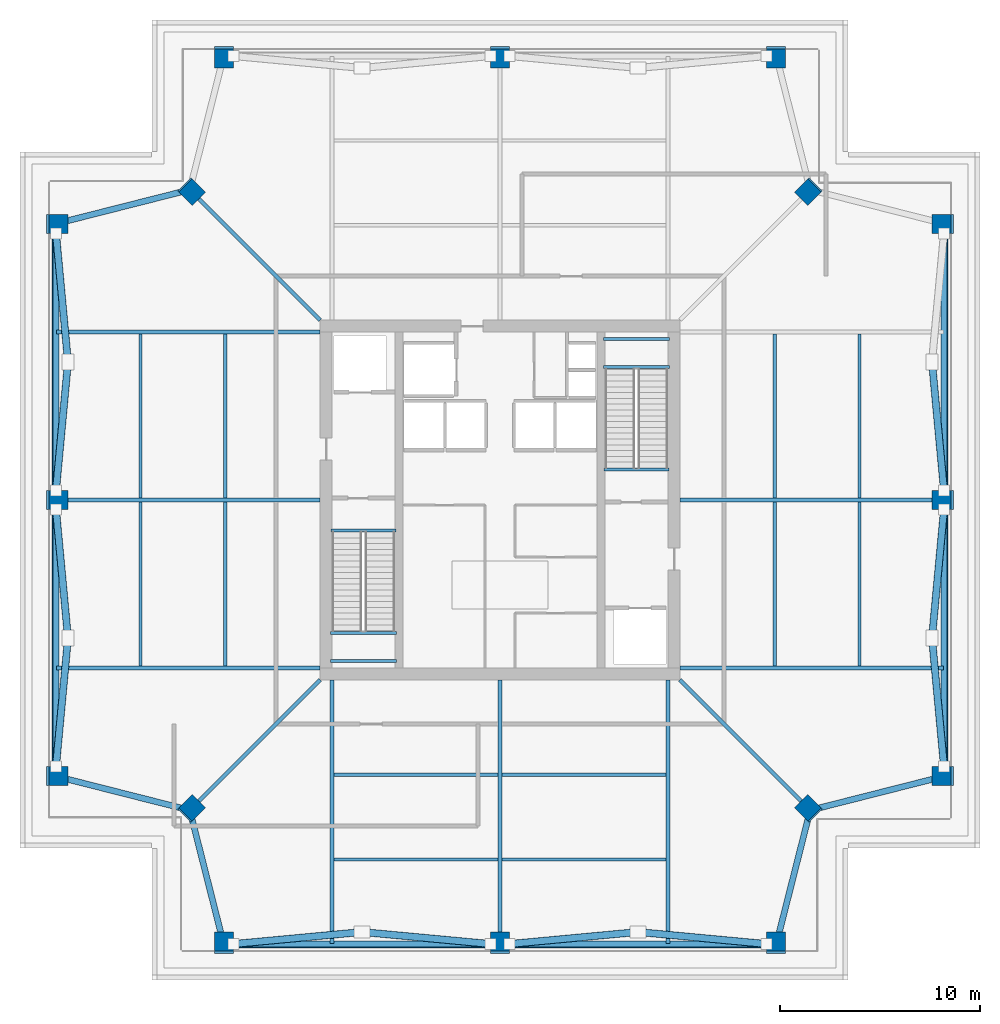
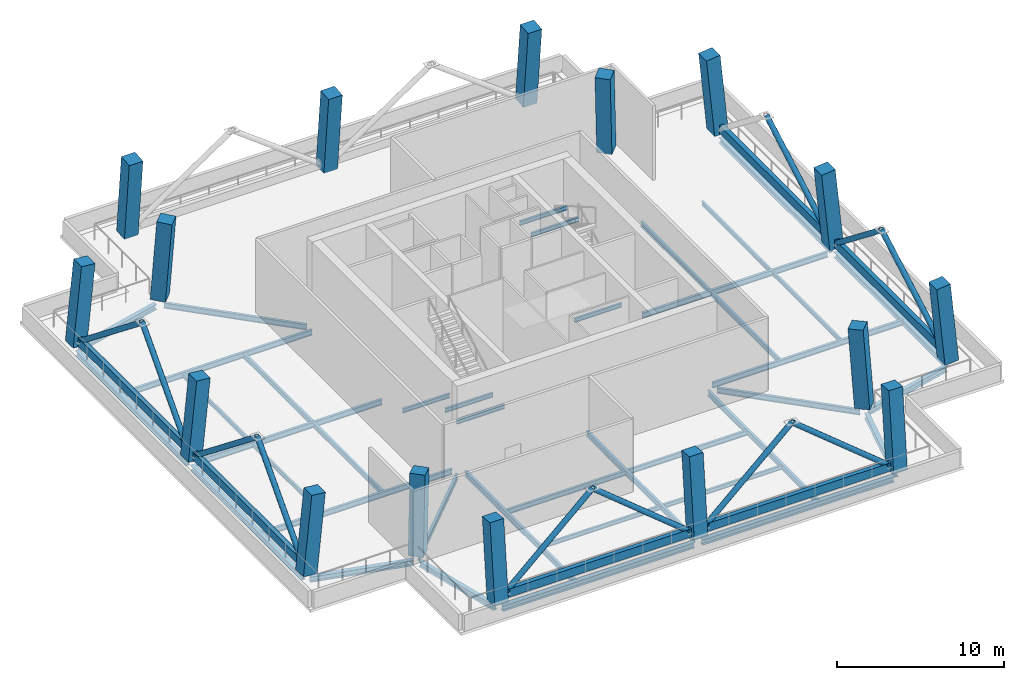
# One storey, part 1 of 7: 46 beams, 16 columns, 11 members.
"""IFC4 building model written with IfcOpenShell, lengths in metres."""

from ifc_helpers import new_model, si_unit, direction, frame, origin, origin_2d, place, context, subcontext, project, spatial, rectangle, hollow_rectangle, hollow_circle, i_section, extrude, material, material_profile, profile_set, type_object, element, save


model = new_model("IFC4")

# Units and contexts
model_context = context("Model", 3, precision=1e-05, world=origin(), true_north=direction((0.0, 1.0)))
body_context = subcontext(model_context, "Body", "Model", "MODEL_VIEW")
ifc_project = project(units=[si_unit("LENGTHUNIT", "METRE"), si_unit("AREAUNIT", "SQUARE_METRE"), si_unit("VOLUMEUNIT", "CUBIC_METRE"), si_unit("PLANEANGLEUNIT", "RADIAN"), si_unit("MASSUNIT", "GRAM", prefix="KILO")], contexts=[model_context])

# Site, building, storey
site_placement = place(None, origin())
site = spatial("IfcSite", under=ifc_project, at=site_placement, CompositionType="ELEMENT")
building_placement = place(site_placement, origin())
building = spatial("IfcBuilding", under=site, at=building_placement, Name="Belovzor Exchange Tower", CompositionType="ELEMENT")
storey_placement = place(building_placement, frame((0.0, 0.0, 289.5)))
storey = spatial("IfcBuildingStorey", under=building, at=storey_placement, Name="L72", CompositionType="ELEMENT", Elevation=289.5)

# Columns
ifc_material_1 = material(Name="Concrete C50/60", Category="concrete")
ifc_material_profile_1 = material_profile(ifc_material_1, rectangle(XDim=0.949951171875, YDim=0.949951171875, at=origin_2d()))
ifc_profile_set_1 = profile_set([ifc_material_profile_1], Name="Concrete C50/60")
column_type = type_object("IfcColumnType", Name="Reinforced Concrete Tower Column 950x950", PredefinedType="COLUMN", material=ifc_profile_set_1)
for number, where, z_axis, x_axis, name in (
    (1, (15.0, 6.60009765625, 0.0029296875), (0.0, 0.09959149796, 0.995028408406), (-1.0, 0.0, 0.0), "COL-T095 Reinforced Concrete Tower Column 950x950"),
    (2, (28.800048828125, 6.60009765625, 0.0029296875), (0.0, 0.09959149796, 0.995028408406), (-1.0, 0.0, 0.0), "COL-T095 Reinforced Concrete Tower Column 950x950"),
    (3, (42.60009765625, 6.60009765625, 0.0029296875), (0.0, 0.09959149796, 0.995028408406), (-1.0, 0.0, 0.0), "COL-T095 Reinforced Concrete Tower Column 950x950"),
    (4, (51.0, 15.0, 0.0029296875), (-0.09959149796, 0.0, 0.995028408406), (0.0, -1.0, 0.0), "COL-T095 Reinforced Concrete Tower Column 950x950"),
    (5, (51.0, 28.800048828125, 0.0029296875), (-0.09959149796, 0.0, 0.995028408406), (0.0, -1.0, 0.0), "COL-T095 Reinforced Concrete Tower Column 950x950"),
    (6, (51.0, 42.60009765625, 0.0029296875), (-0.09959149796, 0.0, 0.995028408406), (0.0, -1.0, 0.0), "COL-T095 Reinforced Concrete Tower Column 950x950"),
    (7, (42.60009765625, 51.0, 0.0029296875), (0.0, -0.09959149796, 0.995028408406), (1.0, 0.0, 0.0), "COL-T095 Reinforced Concrete Tower Column 950x950"),
    (8, (28.800048828125, 51.0, 0.0029296875), (0.0, -0.09959149796, 0.995028408406), (1.0, 0.0, 0.0), "COL-T095 Reinforced Concrete Tower Column 950x950"),
    (9, (15.0, 51.0, 0.0029296875), (0.0, -0.09959149796, 0.995028408406), (1.0, 0.0, 0.0), "COL-T095 Reinforced Concrete Tower Column 950x950"),
    (10, (6.60009765625, 42.60009765625, 0.0029296875), (0.09959149796, 0.0, 0.995028408406), (0.0, 1.0, 0.0), "COL-T095 Reinforced Concrete Tower Column 950x950"),
    (11, (6.60009765625, 28.800048828125, 0.0029296875), (0.09959149796, 0.0, 0.995028408406), (0.0, 1.0, 0.0), "COL-T095 Reinforced Concrete Tower Column 950x950"),
    (12, (6.60009765625, 15.0, 0.0029296875), (0.09959149796, 0.0, 0.995028408406), (0.0, 1.0, 0.0), "COL-T095 Reinforced Concrete Tower Column 950x950"),
):
    element("IfcColumn", number, at=place(storey_placement, frame(where, z_axis=z_axis, x_axis=x_axis)), inside=storey, type_object=column_type, Name=name, PredefinedType="COLUMN", context=body_context, shape_type="SweptSolid", body=[
        extrude(rectangle(XDim=0.949951171875, YDim=0.949951171875, at=origin_2d()), origin(), (0.0, 0.0, 1.0), 5.782958984375),
    ])
for number, where, z_axis, x_axis, name in (
    (13, (13.35009765625, 13.35009765625, 0.0029296875), (0.049898628532, 0.049898628532, 0.997507019394), (-0.707106781187, 0.707106781187, 0.0), "COL-T095 Reinforced Concrete Tower Column 950x950"),
    (14, (44.25, 13.35009765625, 0.0029296875), (-0.04994084586, 0.049898523109, 0.997504911921), (-0.706806969151, -0.707406466156, 0.0), "COL-T095 Reinforced Concrete Tower Column 950x950"),
    (15, (44.25, 44.25, 0.0029296875), (-0.049940740348, -0.049940740348, 0.997502804461), (0.707106781187, -0.707106781187, 0.0), "COL-T095 Reinforced Concrete Tower Column 950x950"),
    (16, (13.35009765625, 44.25, 0.0029296875), (0.049898523109, -0.04994084586, 0.997504911921), (0.707406466156, 0.706806969151, 0.0), "COL-T095 Reinforced Concrete Tower Column 950x950"),
):
    element("IfcColumn", number, at=place(storey_placement, frame(where, z_axis=z_axis, x_axis=x_axis)), inside=storey, type_object=column_type, Name=name, PredefinedType="COLUMN", context=body_context, shape_type="SweptSolid", body=[
        extrude(rectangle(XDim=0.949951171875, YDim=0.949951171875, at=origin_2d()), origin(), (0.0, 0.0, 1.0), 5.7685546875),
    ])

# Beams
ifc_material_2 = material(Name="Steel S355", Category="steel")
ifc_material_profile_2 = material_profile(ifc_material_2, i_section(OverallWidth=0.169921875, OverallDepth=0.360107421875, WebThickness=0.008056640625, FlangeThickness=0.0126953125, at=origin_2d()))
ifc_profile_set_2 = profile_set([ifc_material_profile_2], Name="Steel S355")
beam_type_1 = type_object("IfcBeamType", Name="Secondary Infill Floor Joist IPE 360", PredefinedType="BEAM", material=ifc_profile_set_2)
beam_1_placement = place(storey_placement, frame((20.489990234375, 15.052978515625, -0.530029296875), z_axis=(1.0, 0.0, 0.0), x_axis=(0.0, 1.0, 0.0)))
element("IfcBeam", 17, at=beam_1_placement, inside=storey, type_object=beam_type_1, Name="FJ-360 Secondary Infill Floor Joist IPE 360", PredefinedType="BEAM", context=body_context, shape_type="SweptSolid", body=[
    extrude(i_section(OverallWidth=0.169921875, OverallDepth=0.360107421875, WebThickness=0.008056640625, FlangeThickness=0.0126953125, at=origin_2d()), origin(), (0.0, 0.0, 1.0), 8.219970703125),
])
beam_2_placement = place(storey_placement, frame((28.889892578125, 15.052978515625, -0.530029296875), z_axis=(1.0, 0.0, 0.0), x_axis=(0.0, 1.0, 0.0)))
element("IfcBeam", 18, at=beam_2_placement, inside=storey, type_object=beam_type_1, Name="FJ-360 Secondary Infill Floor Joist IPE 360", PredefinedType="BEAM", context=body_context, shape_type="SweptSolid", body=[
    extrude(i_section(OverallWidth=0.169921875, OverallDepth=0.360107421875, WebThickness=0.008056640625, FlangeThickness=0.0126953125, at=origin_2d()), origin(), (0.0, 0.0, 1.0), 8.22021484375),
])
beam_3_placement = place(storey_placement, frame((15.052978515625, 20.489990234375, -0.530029296875), z_axis=(0.0, 1.0, 0.0), x_axis=(-1.0, 0.0, 0.0)))
element("IfcBeam", 19, at=beam_3_placement, inside=storey, type_object=beam_type_1, Name="FJ-360 Secondary Infill Floor Joist IPE 360", PredefinedType="BEAM", context=body_context, shape_type="SweptSolid", body=[
    extrude(i_section(OverallWidth=0.169921875, OverallDepth=0.360107421875, WebThickness=0.008056640625, FlangeThickness=0.0126953125, at=origin_2d()), origin(), (0.0, 0.0, 1.0), 8.219970703125),
])
beam_4_placement = place(storey_placement, frame((15.052978515625, 28.889892578125, -0.530029296875), z_axis=(0.0, 1.0, 0.0), x_axis=(-1.0, 0.0, 0.0)))
element("IfcBeam", 20, at=beam_4_placement, inside=storey, type_object=beam_type_1, Name="FJ-360 Secondary Infill Floor Joist IPE 360", PredefinedType="BEAM", context=body_context, shape_type="SweptSolid", body=[
    extrude(i_section(OverallWidth=0.169921875, OverallDepth=0.360107421875, WebThickness=0.008056640625, FlangeThickness=0.0126953125, at=origin_2d()), origin(), (0.0, 0.0, 1.0), 8.22021484375),
])
beam_5_placement = place(storey_placement, frame((42.547119140625, 20.489990234375, -0.530029296875), z_axis=(0.0, 1.0, 0.0), x_axis=(-1.0, 0.0, 0.0)))
element("IfcBeam", 21, at=beam_5_placement, inside=storey, type_object=beam_type_1, Name="FJ-360 Secondary Infill Floor Joist IPE 360", PredefinedType="BEAM", context=body_context, shape_type="SweptSolid", body=[
    extrude(i_section(OverallWidth=0.169921875, OverallDepth=0.360107421875, WebThickness=0.008056640625, FlangeThickness=0.0126953125, at=origin_2d()), origin(), (0.0, 0.0, 1.0), 8.219970703125),
])
beam_6_placement = place(storey_placement, frame((42.547119140625, 28.889892578125, -0.530029296875), z_axis=(0.0, 1.0, 0.0), x_axis=(-1.0, 0.0, 0.0)))
element("IfcBeam", 22, at=beam_6_placement, inside=storey, type_object=beam_type_1, Name="FJ-360 Secondary Infill Floor Joist IPE 360", PredefinedType="BEAM", context=body_context, shape_type="SweptSolid", body=[
    extrude(i_section(OverallWidth=0.169921875, OverallDepth=0.360107421875, WebThickness=0.008056640625, FlangeThickness=0.0126953125, at=origin_2d()), origin(), (0.0, 0.0, 1.0), 8.22021484375),
])
ifc_material_3 = material(Name="Steel S355", Category="steel")
ifc_material_profile_3 = material_profile(ifc_material_3, i_section(OverallWidth=0.14990234375, OverallDepth=0.300048828125, WebThickness=0.007080078125, FlangeThickness=0.0107421875, at=origin_2d()))
ifc_profile_set_3 = profile_set([ifc_material_profile_3], Name="Steel S355")
beam_type_2 = type_object("IfcBeamType", Name="Secondary Trim Floor Joist IPE 300", PredefinedType="BEAM", material=ifc_profile_set_3)
for number, where, z_axis, x_axis, name in (
    (23, (20.320068359375, 22.14990234375, 2.64990234375), (1.0, 0.0, 0.0), (0.0, 1.0, 0.0), "FJ-300 Secondary Trim Floor Joist IPE 300"),
    (24, (20.320068359375, 20.75, 2.64990234375), (1.0, 0.0, 0.0), (0.0, 1.0, 0.0), "FJ-300 Secondary Trim Floor Joist IPE 300"),
):
    element("IfcBeam", number, at=place(storey_placement, frame(where, z_axis=z_axis, x_axis=x_axis)), inside=storey, type_object=beam_type_2, Name=name, PredefinedType="BEAM", context=body_context, shape_type="SweptSolid", body=[
        extrude(i_section(OverallWidth=0.14990234375, OverallDepth=0.300048828125, WebThickness=0.007080078125, FlangeThickness=0.0107421875, at=origin_2d()), origin(), (0.0, 0.0, 1.0), 3.309814453125),
    ])
beam_7_placement = place(storey_placement, frame((20.340087890625, 27.280029296875, -0.5), z_axis=(1.0, 0.0, 0.0), x_axis=(0.0, 1.0, 0.0)))
element("IfcBeam", 25, at=beam_7_placement, inside=storey, type_object=beam_type_2, Name="FJ-300 Secondary Trim Floor Joist IPE 300", PredefinedType="BEAM", context=body_context, shape_type="SweptSolid", body=[
    extrude(i_section(OverallWidth=0.14990234375, OverallDepth=0.300048828125, WebThickness=0.007080078125, FlangeThickness=0.0107421875, at=origin_2d()), origin(), (0.0, 0.0, 1.0), 3.27001953125),
])
for number, where, z_axis, x_axis, name in (
    (26, (37.280029296875, 35.449951171875, 2.64990234375), (-1.0, 0.0, 0.0), (0.0, -1.0, 0.0), "FJ-300 Secondary Trim Floor Joist IPE 300"),
    (27, (37.280029296875, 36.85009765625, 2.64990234375), (-1.0, 0.0, 0.0), (0.0, -1.0, 0.0), "FJ-300 Secondary Trim Floor Joist IPE 300"),
):
    element("IfcBeam", number, at=place(storey_placement, frame(where, z_axis=z_axis, x_axis=x_axis)), inside=storey, type_object=beam_type_2, Name=name, PredefinedType="BEAM", context=body_context, shape_type="SweptSolid", body=[
        extrude(i_section(OverallWidth=0.14990234375, OverallDepth=0.300048828125, WebThickness=0.007080078125, FlangeThickness=0.0107421875, at=origin_2d()), origin(), (0.0, 0.0, 1.0), 3.31005859375),
    ])
beam_8_placement = place(storey_placement, frame((37.260009765625, 30.320068359375, -0.5), z_axis=(-1.0, 0.0, 0.0), x_axis=(0.0, -1.0, 0.0)))
element("IfcBeam", 28, at=beam_8_placement, inside=storey, type_object=beam_type_2, Name="FJ-300 Secondary Trim Floor Joist IPE 300", PredefinedType="BEAM", context=body_context, shape_type="SweptSolid", body=[
    extrude(i_section(OverallWidth=0.14990234375, OverallDepth=0.300048828125, WebThickness=0.007080078125, FlangeThickness=0.0107421875, at=origin_2d()), origin(), (0.0, 0.0, 1.0), 3.27001953125),
])
beam_9_placement = place(storey_placement, frame((20.489990234375, 10.833984375, -0.5), z_axis=(1.0, 0.0, 0.0), x_axis=(0.0, 1.0, 0.0)))
element("IfcBeam", 29, at=beam_9_placement, inside=storey, type_object=beam_type_2, Name="FJ-300 Secondary Trim Floor Joist IPE 300", PredefinedType="BEAM", context=body_context, shape_type="SweptSolid", body=[
    extrude(i_section(OverallWidth=0.14990234375, OverallDepth=0.300048828125, WebThickness=0.007080078125, FlangeThickness=0.0107421875, at=origin_2d()), origin(), (0.0, 0.0, 1.0), 8.219970703125),
])
beam_10_placement = place(storey_placement, frame((28.889892578125, 10.833984375, -0.5), z_axis=(1.0, 0.0, 0.0), x_axis=(0.0, 1.0, 0.0)))
element("IfcBeam", 30, at=beam_10_placement, inside=storey, type_object=beam_type_2, Name="FJ-300 Secondary Trim Floor Joist IPE 300", PredefinedType="BEAM", context=body_context, shape_type="SweptSolid", body=[
    extrude(i_section(OverallWidth=0.14990234375, OverallDepth=0.300048828125, WebThickness=0.007080078125, FlangeThickness=0.0107421875, at=origin_2d()), origin(), (0.0, 0.0, 1.0), 8.22021484375),
])
beam_11_placement = place(storey_placement, frame((10.833984375, 20.489990234375, -0.5), z_axis=(0.0, 1.0, 0.0), x_axis=(-1.0, 0.0, 0.0)))
element("IfcBeam", 31, at=beam_11_placement, inside=storey, type_object=beam_type_2, Name="FJ-300 Secondary Trim Floor Joist IPE 300", PredefinedType="BEAM", context=body_context, shape_type="SweptSolid", body=[
    extrude(i_section(OverallWidth=0.14990234375, OverallDepth=0.300048828125, WebThickness=0.007080078125, FlangeThickness=0.0107421875, at=origin_2d()), origin(), (0.0, 0.0, 1.0), 8.219970703125),
])
beam_12_placement = place(storey_placement, frame((10.833984375, 28.889892578125, -0.5), z_axis=(0.0, 1.0, 0.0), x_axis=(-1.0, 0.0, 0.0)))
element("IfcBeam", 32, at=beam_12_placement, inside=storey, type_object=beam_type_2, Name="FJ-300 Secondary Trim Floor Joist IPE 300", PredefinedType="BEAM", context=body_context, shape_type="SweptSolid", body=[
    extrude(i_section(OverallWidth=0.14990234375, OverallDepth=0.300048828125, WebThickness=0.007080078125, FlangeThickness=0.0107421875, at=origin_2d()), origin(), (0.0, 0.0, 1.0), 8.22021484375),
])
beam_13_placement = place(storey_placement, frame((46.76611328125, 20.489990234375, -0.5), z_axis=(0.0, 1.0, 0.0), x_axis=(-1.0, 0.0, 0.0)))
element("IfcBeam", 33, at=beam_13_placement, inside=storey, type_object=beam_type_2, Name="FJ-300 Secondary Trim Floor Joist IPE 300", PredefinedType="BEAM", context=body_context, shape_type="SweptSolid", body=[
    extrude(i_section(OverallWidth=0.14990234375, OverallDepth=0.300048828125, WebThickness=0.007080078125, FlangeThickness=0.0107421875, at=origin_2d()), origin(), (0.0, 0.0, 1.0), 8.219970703125),
])
beam_14_placement = place(storey_placement, frame((46.76611328125, 28.889892578125, -0.5), z_axis=(0.0, 1.0, 0.0), x_axis=(-1.0, 0.0, 0.0)))
element("IfcBeam", 34, at=beam_14_placement, inside=storey, type_object=beam_type_2, Name="FJ-300 Secondary Trim Floor Joist IPE 300", PredefinedType="BEAM", context=body_context, shape_type="SweptSolid", body=[
    extrude(i_section(OverallWidth=0.14990234375, OverallDepth=0.300048828125, WebThickness=0.007080078125, FlangeThickness=0.0107421875, at=origin_2d()), origin(), (0.0, 0.0, 1.0), 8.22021484375),
])

# Members
ifc_material_4 = material(Name="Steel S355", Category="steel")
ifc_material_profile_4 = material_profile(ifc_material_4, hollow_circle(Radius=0.177734375, WallThickness=0.01611328125, at=origin_2d()))
ifc_profile_set_4 = profile_set([ifc_material_profile_4], Name="Steel S355")
member_type = type_object("IfcMemberType", Name="Wind Portal K-Brace Strut CHS 355.6x16", PredefinedType="BRACE", material=ifc_profile_set_4)
member_1_placement = place(storey_placement, frame((15.47509765625, 6.60009765625, 0.39990234375), z_axis=(0.783500342695, 0.073151707782, 0.617070531338), x_axis=(-0.092960958618, 0.995669754574, 0.0)))
element("IfcMember", 35, at=member_1_placement, inside=storey, type_object=member_type, Name="WB-355 Wind Portal K-Brace Strut CHS 355.6x16", PredefinedType="BRACE", context=body_context, shape_type="SweptSolid", body=[
    extrude(hollow_circle(Radius=0.177734375, WallThickness=0.01611328125, at=origin_2d()), origin(), (0.0, 0.0, 1.0), 8.2001953125),
])
for number, where, z_axis, x_axis, name in (
    (36, (21.89990234375, 7.199951171875, 5.4599609375), (0.783511838371, -0.073150001401, -0.617056137177), (0.092957456788, 0.995670081517, 0.0), "WB-355 Wind Portal K-Brace Strut CHS 355.6x16"),
    (37, (29.27490234375, 6.60009765625, 0.39990234375), (0.783511838371, 0.073150001401, 0.617056137177), (-0.092957456788, 0.995670081517, 0.0), "WB-355 Wind Portal K-Brace Strut CHS 355.6x16"),
    (38, (35.699951171875, 7.199951171875, 5.4599609375), (0.783511838371, -0.073150001401, -0.617056137177), (0.092957456788, 0.995670081517, 0.0), "WB-355 Wind Portal K-Brace Strut CHS 355.6x16"),
):
    element("IfcMember", number, at=place(storey_placement, frame(where, z_axis=z_axis, x_axis=x_axis)), inside=storey, type_object=member_type, Name=name, PredefinedType="BRACE", context=body_context, shape_type="SweptSolid", body=[
        extrude(hollow_circle(Radius=0.177734375, WallThickness=0.01611328125, at=origin_2d()), origin(), (0.0, 0.0, 1.0), 8.200439453125),
    ])
member_2_placement = place(storey_placement, frame((51.0, 15.47509765625, 0.39990234375), z_axis=(-0.073181321141, 0.783498635945, 0.617069187133), x_axis=(-0.995666251918, -0.092998466606, 0.0)))
element("IfcMember", 39, at=member_2_placement, inside=storey, type_object=member_type, Name="WB-355 Wind Portal K-Brace Strut CHS 355.6x16", PredefinedType="BRACE", context=body_context, shape_type="SweptSolid", body=[
    extrude(hollow_circle(Radius=0.177734375, WallThickness=0.01611328125, at=origin_2d()), origin(), (0.0, 0.0, 1.0), 8.2001953125),
])
for number, where, z_axis, x_axis, name in (
    (40, (50.39990234375, 21.89990234375, 5.4599609375), (0.073179614077, 0.783510131676, -0.617054793066), (-0.995666579124, 0.092994963388, 0.0), "WB-355 Wind Portal K-Brace Strut CHS 355.6x16"),
    (41, (51.0, 29.27490234375, 0.39990234375), (-0.073179614077, 0.783510131676, 0.617054793066), (-0.995666579124, -0.092994963388, 0.0), "WB-355 Wind Portal K-Brace Strut CHS 355.6x16"),
    (42, (6.60009765625, 42.125, 0.39990234375), (0.073150001401, -0.783511838371, 0.617056137177), (0.995670081517, 0.092957456788, 0.0), "WB-355 Wind Portal K-Brace Strut CHS 355.6x16"),
    (43, (7.199951171875, 35.699951171875, 5.4599609375), (-0.073150001401, -0.783511838371, -0.617056137177), (0.995670081517, -0.092957456788, 0.0), "WB-355 Wind Portal K-Brace Strut CHS 355.6x16"),
    (44, (6.60009765625, 28.324951171875, 0.39990234375), (0.073150001401, -0.783511838371, 0.617056137177), (0.995670081517, 0.092957456788, 0.0), "WB-355 Wind Portal K-Brace Strut CHS 355.6x16"),
):
    element("IfcMember", number, at=place(storey_placement, frame(where, z_axis=z_axis, x_axis=x_axis)), inside=storey, type_object=member_type, Name=name, PredefinedType="BRACE", context=body_context, shape_type="SweptSolid", body=[
        extrude(hollow_circle(Radius=0.177734375, WallThickness=0.01611328125, at=origin_2d()), origin(), (0.0, 0.0, 1.0), 8.200439453125),
    ])
member_3_placement = place(storey_placement, frame((7.199951171875, 21.89990234375, 5.4599609375), z_axis=(-0.073151707782, -0.783500342695, -0.617070531338), x_axis=(0.995669754574, -0.092960958618, 0.0)))
element("IfcMember", 45, at=member_3_placement, inside=storey, type_object=member_type, Name="WB-355 Wind Portal K-Brace Strut CHS 355.6x16", PredefinedType="BRACE", context=body_context, shape_type="SweptSolid", body=[
    extrude(hollow_circle(Radius=0.177734375, WallThickness=0.01611328125, at=origin_2d()), origin(), (0.0, 0.0, 1.0), 8.2001953125),
])

# Beams
ifc_material_5 = material(Name="Steel S355", Category="steel")
ifc_material_profile_5 = material_profile(ifc_material_5, hollow_rectangle(XDim=0.300048828125, YDim=0.60009765625, WallThickness=0.01611328125, at=origin_2d()))
ifc_profile_set_5 = profile_set([ifc_material_profile_5], Name="Steel S355")
beam_type_3 = type_object("IfcBeamType", Name="Wind Portal Perimeter Ring Beam RHS 600x300x16", PredefinedType="BEAM", material=ifc_profile_set_5)
beam_15_placement = place(storey_placement, frame((15.47509765625, 6.60009765625, 0.39990234375), z_axis=(1.0, 0.0, 0.0), x_axis=(0.0, 1.0, 0.0)))
element("IfcBeam", 46, at=beam_15_placement, inside=storey, type_object=beam_type_3, Name="WP-600 Wind Portal Perimeter Ring Beam RHS 600x300x16", PredefinedType="BEAM", context=body_context, shape_type="SweptSolid", body=[
    extrude(hollow_rectangle(XDim=0.300048828125, YDim=0.60009765625, WallThickness=0.01611328125, at=origin_2d()), origin(), (0.0, 0.0, 1.0), 12.849853515625),
])
beam_16_placement = place(storey_placement, frame((29.27490234375, 6.60009765625, 0.39990234375), z_axis=(1.0, 0.0, 0.0), x_axis=(0.0, 1.0, 0.0)))
element("IfcBeam", 47, at=beam_16_placement, inside=storey, type_object=beam_type_3, Name="WP-600 Wind Portal Perimeter Ring Beam RHS 600x300x16", PredefinedType="BEAM", context=body_context, shape_type="SweptSolid", body=[
    extrude(hollow_rectangle(XDim=0.300048828125, YDim=0.60009765625, WallThickness=0.01611328125, at=origin_2d()), origin(), (0.0, 0.0, 1.0), 12.85009765625),
])
beam_17_placement = place(storey_placement, frame((51.0, 15.47509765625, 0.39990234375), z_axis=(0.0, 1.0, 0.0), x_axis=(-1.0, 0.0, 0.0)))
element("IfcBeam", 48, at=beam_17_placement, inside=storey, type_object=beam_type_3, Name="WP-600 Wind Portal Perimeter Ring Beam RHS 600x300x16", PredefinedType="BEAM", context=body_context, shape_type="SweptSolid", body=[
    extrude(hollow_rectangle(XDim=0.300048828125, YDim=0.60009765625, WallThickness=0.01611328125, at=origin_2d()), origin(), (0.0, 0.0, 1.0), 12.849853515625),
])
for number, where, z_axis, x_axis, name in (
    (49, (51.0, 29.27490234375, 0.39990234375), (0.0, 1.0, 0.0), (-1.0, 0.0, 0.0), "WP-600 Wind Portal Perimeter Ring Beam RHS 600x300x16"),
    (50, (6.60009765625, 42.125, 0.39990234375), (0.0, -1.0, 0.0), (1.0, 0.0, 0.0), "WP-600 Wind Portal Perimeter Ring Beam RHS 600x300x16"),
):
    element("IfcBeam", number, at=place(storey_placement, frame(where, z_axis=z_axis, x_axis=x_axis)), inside=storey, type_object=beam_type_3, Name=name, PredefinedType="BEAM", context=body_context, shape_type="SweptSolid", body=[
        extrude(hollow_rectangle(XDim=0.300048828125, YDim=0.60009765625, WallThickness=0.01611328125, at=origin_2d()), origin(), (0.0, 0.0, 1.0), 12.85009765625),
    ])
beam_18_placement = place(storey_placement, frame((6.60009765625, 28.324951171875, 0.39990234375), z_axis=(0.0, -1.0, 0.0), x_axis=(1.0, 0.0, 0.0)))
element("IfcBeam", 51, at=beam_18_placement, inside=storey, type_object=beam_type_3, Name="WP-600 Wind Portal Perimeter Ring Beam RHS 600x300x16", PredefinedType="BEAM", context=body_context, shape_type="SweptSolid", body=[
    extrude(hollow_rectangle(XDim=0.300048828125, YDim=0.60009765625, WallThickness=0.01611328125, at=origin_2d()), origin(), (0.0, 0.0, 1.0), 12.849853515625),
])
ifc_material_6 = material(Name="Steel S355", Category="steel")
ifc_material_profile_6 = material_profile(ifc_material_6, i_section(OverallWidth=0.300048828125, OverallDepth=0.39990234375, WebThickness=0.013427734375, FlangeThickness=0.02392578125, at=origin_2d()))
ifc_profile_set_6 = profile_set([ifc_material_profile_6], Name="Steel S355")
beam_type_4 = type_object("IfcBeamType", Name="Zone 5 Primary Girder HEB 400", PredefinedType="BEAM", material=ifc_profile_set_6)
beam_19_placement = place(storey_placement, frame((13.35302734375, 13.035888671875, -0.550048828125), z_axis=(0.24575369239, -0.969332307662, 0.0), x_axis=(0.969332307662, 0.24575369239, 0.0)))
element("IfcBeam", 52, at=beam_19_placement, inside=storey, type_object=beam_type_4, Name="FG-Z5 Zone 5 Primary Girder HEB 400", PredefinedType="BEAM", context=body_context, shape_type="SweptSolid", body=[
    extrude(i_section(OverallWidth=0.300048828125, OverallDepth=0.39990234375, WebThickness=0.013427734375, FlangeThickness=0.02392578125, at=origin_2d()), origin(), (0.0, 0.0, 1.0), 6.44140625),
])
for number, where, z_axis, x_axis, name in (
    (53, (15.260986328125, 6.5390625, -0.550048828125), (1.0, 0.0, 0.0), (0.0, 1.0, 0.0), "FG-Z5 Zone 5 Primary Girder HEB 400"),
    (54, (29.06103515625, 6.5390625, -0.550048828125), (1.0, 0.0, 0.0), (0.0, 1.0, 0.0), "FG-Z5 Zone 5 Primary Girder HEB 400"),
):
    element("IfcBeam", number, at=place(storey_placement, frame(where, z_axis=z_axis, x_axis=x_axis)), inside=storey, type_object=beam_type_4, Name=name, PredefinedType="BEAM", context=body_context, shape_type="SweptSolid", body=[
        extrude(i_section(OverallWidth=0.300048828125, OverallDepth=0.39990234375, WebThickness=0.013427734375, FlangeThickness=0.02392578125, at=origin_2d()), origin(), (0.0, 0.0, 1.0), 13.278076171875),
    ])
beam_20_placement = place(storey_placement, frame((42.6640625, 6.7919921875, -0.550048828125), z_axis=(0.24575369239, 0.969332307662, 0.0), x_axis=(-0.969332307662, 0.24575369239, 0.0)))
element("IfcBeam", 55, at=beam_20_placement, inside=storey, type_object=beam_type_4, Name="FG-Z5 Zone 5 Primary Girder HEB 400", PredefinedType="BEAM", context=body_context, shape_type="SweptSolid", body=[
    extrude(i_section(OverallWidth=0.300048828125, OverallDepth=0.39990234375, WebThickness=0.013427734375, FlangeThickness=0.02392578125, at=origin_2d()), origin(), (0.0, 0.0, 1.0), 6.44140625),
])
beam_21_placement = place(storey_placement, frame((44.56396484375, 13.35302734375, -0.550048828125), z_axis=(0.969334596595, 0.245744663916, 0.0), x_axis=(-0.245744663916, 0.969334596595, 0.0)))
element("IfcBeam", 56, at=beam_21_placement, inside=storey, type_object=beam_type_4, Name="FG-Z5 Zone 5 Primary Girder HEB 400", PredefinedType="BEAM", context=body_context, shape_type="SweptSolid", body=[
    extrude(i_section(OverallWidth=0.300048828125, OverallDepth=0.39990234375, WebThickness=0.013427734375, FlangeThickness=0.02392578125, at=origin_2d()), origin(), (0.0, 0.0, 1.0), 6.441650390625),
])
for number, where, z_axis, x_axis, name in (
    (57, (51.06103515625, 15.260986328125, -0.550048828125), (0.0, 1.0, 0.0), (-1.0, 0.0, 0.0), "FG-Z5 Zone 5 Primary Girder HEB 400"),
    (58, (51.06103515625, 29.06103515625, -0.550048828125), (0.0, 1.0, 0.0), (-1.0, 0.0, 0.0), "FG-Z5 Zone 5 Primary Girder HEB 400"),
):
    element("IfcBeam", number, at=place(storey_placement, frame(where, z_axis=z_axis, x_axis=x_axis)), inside=storey, type_object=beam_type_4, Name=name, PredefinedType="BEAM", context=body_context, shape_type="SweptSolid", body=[
        extrude(i_section(OverallWidth=0.300048828125, OverallDepth=0.39990234375, WebThickness=0.013427734375, FlangeThickness=0.02392578125, at=origin_2d()), origin(), (0.0, 0.0, 1.0), 13.278076171875),
    ])
beam_22_placement = place(storey_placement, frame((13.035888671875, 44.2470703125, -0.550048828125), z_axis=(-0.969332307662, -0.24575369239, 0.0), x_axis=(0.24575369239, -0.969332307662, 0.0)))
element("IfcBeam", 59, at=beam_22_placement, inside=storey, type_object=beam_type_4, Name="FG-Z5 Zone 5 Primary Girder HEB 400", PredefinedType="BEAM", context=body_context, shape_type="SweptSolid", body=[
    extrude(i_section(OverallWidth=0.300048828125, OverallDepth=0.39990234375, WebThickness=0.013427734375, FlangeThickness=0.02392578125, at=origin_2d()), origin(), (0.0, 0.0, 1.0), 6.44140625),
])
for number, where, z_axis, x_axis, name in (
    (60, (6.5390625, 42.339111328125, -0.550048828125), (0.0, -1.0, 0.0), (1.0, 0.0, 0.0), "FG-Z5 Zone 5 Primary Girder HEB 400"),
    (61, (6.5390625, 28.5390625, -0.550048828125), (0.0, -1.0, 0.0), (1.0, 0.0, 0.0), "FG-Z5 Zone 5 Primary Girder HEB 400"),
):
    element("IfcBeam", number, at=place(storey_placement, frame(where, z_axis=z_axis, x_axis=x_axis)), inside=storey, type_object=beam_type_4, Name=name, PredefinedType="BEAM", context=body_context, shape_type="SweptSolid", body=[
        extrude(i_section(OverallWidth=0.300048828125, OverallDepth=0.39990234375, WebThickness=0.013427734375, FlangeThickness=0.02392578125, at=origin_2d()), origin(), (0.0, 0.0, 1.0), 13.278076171875),
    ])
beam_23_placement = place(storey_placement, frame((6.7919921875, 14.93603515625, -0.550048828125), z_axis=(0.969332307662, -0.24575369239, 0.0), x_axis=(0.24575369239, 0.969332307662, 0.0)))
element("IfcBeam", 62, at=beam_23_placement, inside=storey, type_object=beam_type_4, Name="FG-Z5 Zone 5 Primary Girder HEB 400", PredefinedType="BEAM", context=body_context, shape_type="SweptSolid", body=[
    extrude(i_section(OverallWidth=0.300048828125, OverallDepth=0.39990234375, WebThickness=0.013427734375, FlangeThickness=0.02392578125, at=origin_2d()), origin(), (0.0, 0.0, 1.0), 6.44140625),
])
ifc_material_7 = material(Name="Steel S355", Category="steel")
ifc_material_profile_7 = material_profile(ifc_material_7, i_section(OverallWidth=0.179931640625, OverallDepth=0.39990234375, WebThickness=0.008544921875, FlangeThickness=0.013427734375, at=origin_2d()))
ifc_profile_set_7 = profile_set([ifc_material_profile_7], Name="Steel S355")
beam_type_5 = type_object("IfcBeamType", Name="Zone 5-6 Radial Composite Floor Beam IPE 400", PredefinedType="BEAM", material=ifc_profile_set_7)
beam_24_placement = place(storey_placement, frame((20.39990234375, 19.800048828125, -0.550048828125), z_axis=(0.0, -1.0, 0.0), x_axis=(1.0, 0.0, 0.0)))
element("IfcBeam", 63, at=beam_24_placement, inside=storey, type_object=beam_type_5, Name="FB-400 Zone 5-6 Radial Composite Floor Beam IPE 400", PredefinedType="BEAM", context=body_context, shape_type="SweptSolid", body=[
    extrude(i_section(OverallWidth=0.179931640625, OverallDepth=0.39990234375, WebThickness=0.008544921875, FlangeThickness=0.013427734375, at=origin_2d()), origin(), (0.0, 0.0, 1.0), 13.18603515625),
])
beam_25_placement = place(storey_placement, frame((28.800048828125, 19.800048828125, -0.550048828125), z_axis=(0.0, -1.0, 0.0), x_axis=(1.0, 0.0, 0.0)))
element("IfcBeam", 64, at=beam_25_placement, inside=storey, type_object=beam_type_5, Name="FB-400 Zone 5-6 Radial Composite Floor Beam IPE 400", PredefinedType="BEAM", context=body_context, shape_type="SweptSolid", body=[
    extrude(i_section(OverallWidth=0.179931640625, OverallDepth=0.39990234375, WebThickness=0.008544921875, FlangeThickness=0.013427734375, at=origin_2d()), origin(), (0.0, 0.0, 1.0), 12.843017578125),
])
for number, where, z_axis, x_axis, name in (
    (65, (37.199951171875, 19.800048828125, -0.550048828125), (0.0, -1.0, 0.0), (1.0, 0.0, 0.0), "FB-400 Zone 5-6 Radial Composite Floor Beam IPE 400"),
    (66, (19.800048828125, 20.39990234375, -0.550048828125), (-1.0, 0.0, 0.0), (0.0, -1.0, 0.0), "FB-400 Zone 5-6 Radial Composite Floor Beam IPE 400"),
):
    element("IfcBeam", number, at=place(storey_placement, frame(where, z_axis=z_axis, x_axis=x_axis)), inside=storey, type_object=beam_type_5, Name=name, PredefinedType="BEAM", context=body_context, shape_type="SweptSolid", body=[
        extrude(i_section(OverallWidth=0.179931640625, OverallDepth=0.39990234375, WebThickness=0.008544921875, FlangeThickness=0.013427734375, at=origin_2d()), origin(), (0.0, 0.0, 1.0), 13.18603515625),
    ])
beam_26_placement = place(storey_placement, frame((19.800048828125, 28.800048828125, -0.550048828125), z_axis=(-1.0, 0.0, 0.0), x_axis=(0.0, -1.0, 0.0)))
element("IfcBeam", 67, at=beam_26_placement, inside=storey, type_object=beam_type_5, Name="FB-400 Zone 5-6 Radial Composite Floor Beam IPE 400", PredefinedType="BEAM", context=body_context, shape_type="SweptSolid", body=[
    extrude(i_section(OverallWidth=0.179931640625, OverallDepth=0.39990234375, WebThickness=0.008544921875, FlangeThickness=0.013427734375, at=origin_2d()), origin(), (0.0, 0.0, 1.0), 12.843017578125),
])
for number, where, z_axis, x_axis, name in (
    (68, (19.800048828125, 37.199951171875, -0.550048828125), (-1.0, 0.0, 0.0), (0.0, -1.0, 0.0), "FB-400 Zone 5-6 Radial Composite Floor Beam IPE 400"),
    (69, (37.800048828125, 20.39990234375, -0.550048828125), (1.0, 0.0, 0.0), (0.0, 1.0, 0.0), "FB-400 Zone 5-6 Radial Composite Floor Beam IPE 400"),
):
    element("IfcBeam", number, at=place(storey_placement, frame(where, z_axis=z_axis, x_axis=x_axis)), inside=storey, type_object=beam_type_5, Name=name, PredefinedType="BEAM", context=body_context, shape_type="SweptSolid", body=[
        extrude(i_section(OverallWidth=0.179931640625, OverallDepth=0.39990234375, WebThickness=0.008544921875, FlangeThickness=0.013427734375, at=origin_2d()), origin(), (0.0, 0.0, 1.0), 13.18603515625),
    ])
beam_27_placement = place(storey_placement, frame((37.800048828125, 28.800048828125, -0.550048828125), z_axis=(1.0, 0.0, 0.0), x_axis=(0.0, 1.0, 0.0)))
element("IfcBeam", 70, at=beam_27_placement, inside=storey, type_object=beam_type_5, Name="FB-400 Zone 5-6 Radial Composite Floor Beam IPE 400", PredefinedType="BEAM", context=body_context, shape_type="SweptSolid", body=[
    extrude(i_section(OverallWidth=0.179931640625, OverallDepth=0.39990234375, WebThickness=0.008544921875, FlangeThickness=0.013427734375, at=origin_2d()), origin(), (0.0, 0.0, 1.0), 12.843017578125),
])
beam_28_placement = place(storey_placement, frame((19.800048828125, 19.800048828125, -0.550048828125), z_axis=(-0.707106781187, -0.707106781187, 0.0), x_axis=(0.707106781187, -0.707106781187, 0.0)))
element("IfcBeam", 71, at=beam_28_placement, inside=storey, type_object=beam_type_5, Name="FB-400 Zone 5-6 Radial Composite Floor Beam IPE 400", PredefinedType="BEAM", context=body_context, shape_type="SweptSolid", body=[
    extrude(i_section(OverallWidth=0.179931640625, OverallDepth=0.39990234375, WebThickness=0.008544921875, FlangeThickness=0.013427734375, at=origin_2d()), origin(), (0.0, 0.0, 1.0), 8.871337890625),
])
for number, where, z_axis, x_axis, name in (
    (72, (37.800048828125, 19.800048828125, -0.550048828125), (0.707161815376, -0.707051742714, 0.0), (0.707051742714, 0.707161815376, 0.0), "FB-400 Zone 5-6 Radial Composite Floor Beam IPE 400"),
    (73, (19.800048828125, 37.800048828125, -0.550048828125), (-0.707051742714, 0.707161815376, 0.0), (-0.707161815376, -0.707051742714, 0.0), "FB-400 Zone 5-6 Radial Composite Floor Beam IPE 400"),
):
    element("IfcBeam", number, at=place(storey_placement, frame(where, z_axis=z_axis, x_axis=x_axis)), inside=storey, type_object=beam_type_5, Name=name, PredefinedType="BEAM", context=body_context, shape_type="SweptSolid", body=[
        extrude(i_section(OverallWidth=0.179931640625, OverallDepth=0.39990234375, WebThickness=0.008544921875, FlangeThickness=0.013427734375, at=origin_2d()), origin(), (0.0, 0.0, 1.0), 8.8720703125),
    ])

save(model, "model.ifc")
